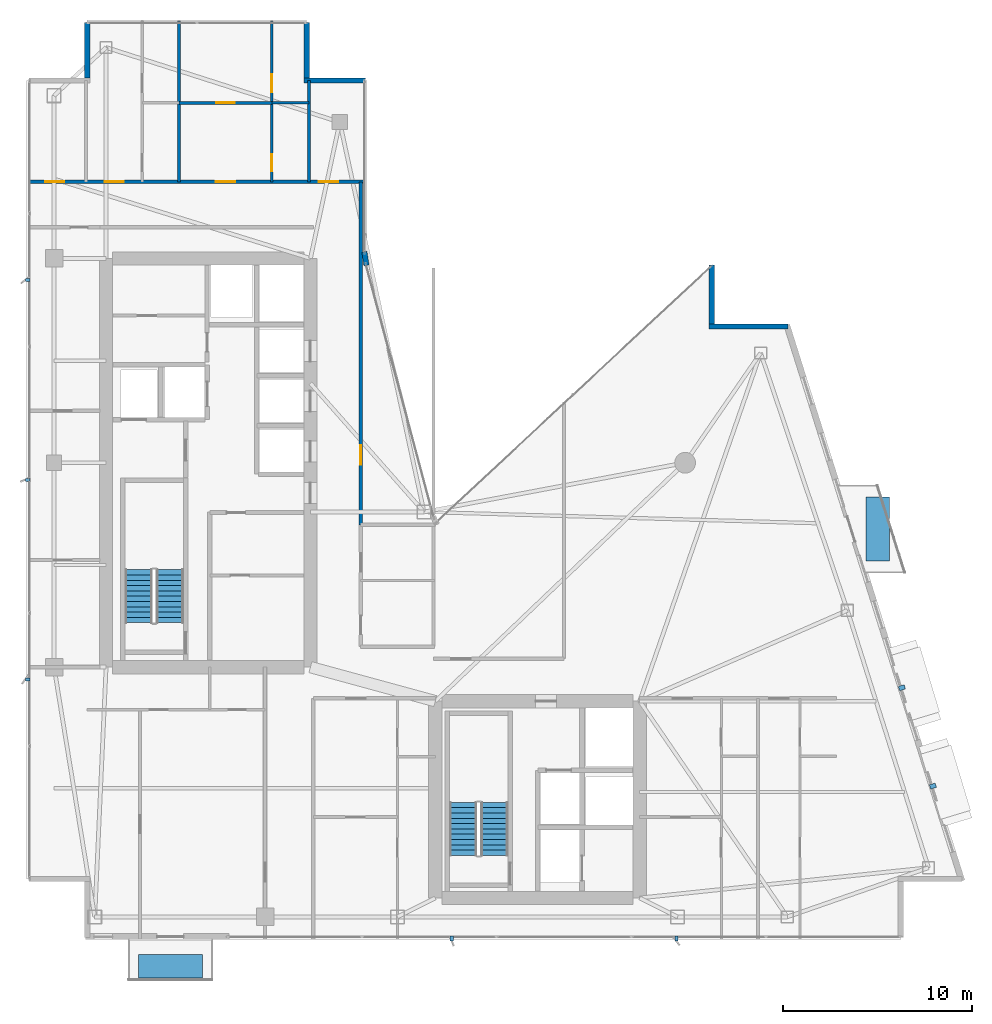
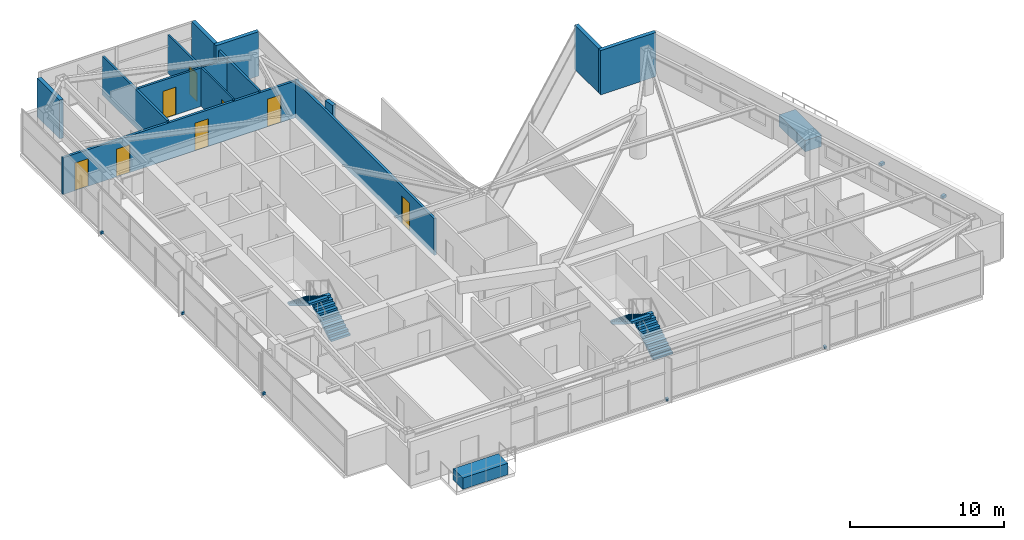
# One storey, part 25 of 27: 13 walls, 9 discrete accessories, 8 doors, 4 stair flights, 8 openings, 2 elements without a shape of their own.
"""IFC4 building model written with IfcOpenShell, lengths in metres."""

from ifc_helpers import new_model, si_unit, direction, frame, frame_2d, origin, origin_2d, place, context, subcontext, project, spatial, polyline, rectangle, outline, extrude, material, layer, layer_set, type_object, element, fill, aggregate, save


model = new_model("IFC4")

# Units and contexts
model_context = context("Model", 3, precision=1e-05, world=origin(), true_north=direction((0.0, 1.0)))
body_context = subcontext(model_context, "Body", "Model", "MODEL_VIEW")
ifc_project = project(units=[si_unit("LENGTHUNIT", "METRE"), si_unit("AREAUNIT", "SQUARE_METRE"), si_unit("VOLUMEUNIT", "CUBIC_METRE"), si_unit("PLANEANGLEUNIT", "RADIAN"), si_unit("MASSUNIT", "GRAM", prefix="KILO")], contexts=[model_context])

# Site, building, storey
site_placement = place(None, origin())
site = spatial("IfcSite", under=ifc_project, at=site_placement, CompositionType="ELEMENT")
building_placement = place(site_placement, origin())
building = spatial("IfcBuilding", under=site, at=building_placement, Name="Calvorn Quay Hotel", CompositionType="ELEMENT")
storey_placement = place(building_placement, frame((0.0, 0.0, 230.699951171875)))
storey = spatial("IfcBuildingStorey", under=building, at=storey_placement, Name="L57", CompositionType="ELEMENT", Elevation=230.699951171875)

# Wall, openings, doors
ifc_material_1 = material(Name="Acoustic Fireboard Steel-Stud Partition", Category="steel")
ifc_layer_1 = layer(ifc_material_1, 0.179931640625)
ifc_layer_set_1 = layer_set([ifc_layer_1], Name="WL-CORR-FIRE-180")
wall_type_1 = type_object("IfcWallType", Name="WL-CORR-FIRE-180", PredefinedType="PARTITIONING", material=ifc_layer_set_1)
wall_1_placement = place(storey_placement, frame((0.080078125, 42.449951171875, 0.0), z_axis=(0.0, 0.0, 1.0), x_axis=(1.0, 0.0, 0.0)))
wall_1 = element("IfcWall", 1, at=wall_1_placement, inside=storey, type_object=wall_type_1, Name="Partition Wall L57-WL-CORR-NW-N", PredefinedType="PARTITIONING", context=body_context, shape_type="SweptSolid", body=[
    extrude(rectangle(XDim=17.77001953125, YDim=0.179931640625, at=frame_2d((8.885009765625, 0.0))), origin(), (0.0, 0.0, 1.0), 2.920166015625),
])
opening_1_placement = place(wall_1_placement, frame((0.89990234375, 0.0, 0.0)))
opening_1 = element("IfcOpeningElement", 2, at=opening_1_placement, cuts=wall_1, Name="Opening D-L57-NWW", PredefinedType="OPENING", context=body_context, shape_type="SweptSolid", body=[
    extrude(rectangle(XDim=1.02001953125, YDim=2.199951171875, at=frame_2d((0.510009765625, 1.10009765625))), frame((0.0, 0.099853515625, 0.0), z_axis=(0.0, -1.0, 0.0), x_axis=(1.0, 0.0, 0.0)), (0.0, 0.0, 1.0), 0.199951171875),
])
opening_2_placement = place(wall_1_placement, frame((4.0400390625, 0.0, 0.0)))
opening_2 = element("IfcOpeningElement", 3, at=opening_2_placement, cuts=wall_1, Name="Opening D-L57-U03", PredefinedType="OPENING", context=body_context, shape_type="SweptSolid", body=[
    extrude(rectangle(XDim=1.02001953125, YDim=2.199951171875, at=frame_2d((0.510009765625, 1.10009765625))), frame((0.0, 0.099853515625, 0.0), z_axis=(0.0, -1.0, 0.0), x_axis=(1.0, 0.0, 0.0)), (0.0, 0.0, 1.0), 0.199951171875),
])
opening_3_placement = place(wall_1_placement, frame((9.919921875, 0.0, 0.0)))
opening_3 = element("IfcOpeningElement", 4, at=opening_3_placement, cuts=wall_1, Name="Opening D-L57-U04", PredefinedType="OPENING", context=body_context, shape_type="SweptSolid", body=[
    extrude(rectangle(XDim=1.02001953125, YDim=2.199951171875, at=frame_2d((0.510009765625, 1.10009765625))), frame((0.0, 0.099853515625, 0.0), z_axis=(0.0, -1.0, 0.0), x_axis=(1.0, 0.0, 0.0)), (0.0, 0.0, 1.0), 0.199951171875),
])
opening_4_placement = place(wall_1_placement, frame((15.3701171875, 0.0, 0.0)))
opening_4 = element("IfcOpeningElement", 5, at=opening_4_placement, cuts=wall_1, Name="Opening D-L57-NWE", PredefinedType="OPENING", context=body_context, shape_type="SweptSolid", body=[
    extrude(rectangle(XDim=1.02001953125, YDim=2.199951171875, at=frame_2d((0.510009765625, 1.10009765625))), frame((0.0, 0.099853515625, 0.0), z_axis=(0.0, -1.0, 0.0), x_axis=(1.0, 0.0, 0.0)), (0.0, 0.0, 1.0), 0.199951171875),
])
ifc_material_2 = material(Name="Solid-Core Walnut Veneer Hotel Fire Door")
door_type_1 = type_object("IfcDoorType", Name="DR-GUEST-ENTRY-1020", OperationType="NOTDEFINED", PredefinedType="DOOR", material=ifc_material_2)
door_1_placement = place(opening_1_placement, origin())
door_1 = element("IfcDoor", 6, at=door_1_placement, inside=storey, type_object=door_type_1, Name="West Corner Study Door (L57)", OperationType="SINGLE_SWING_LEFT", OverallHeight=2.199951171875, OverallWidth=1.02001953125, PredefinedType="DOOR", context=body_context, shape_type="SweptSolid", body=[
    extrude(rectangle(XDim=1.02001953125, YDim=2.199951171875, at=frame_2d((0.510009765625, 1.10009765625))), frame((0.0, 0.02490234375, 0.0), z_axis=(0.0, -1.0, 0.0), x_axis=(1.0, 0.0, 0.0)), (0.0, 0.0, 1.0), 0.050048828125),
])
fill(opening_1, door_1)
door_2_placement = place(opening_2_placement, origin())
door_2 = element("IfcDoor", 7, at=door_2_placement, inside=storey, type_object=door_type_1, Name="North-West Unit Door U03 (L57)", OperationType="SINGLE_SWING_RIGHT", OverallHeight=2.199951171875, OverallWidth=1.02001953125, PredefinedType="DOOR", context=body_context, shape_type="SweptSolid", body=[
    extrude(rectangle(XDim=1.02001953125, YDim=2.199951171875, at=frame_2d((0.510009765625, 1.10009765625))), frame((0.0, 0.02490234375, 0.0), z_axis=(0.0, -1.0, 0.0), x_axis=(1.0, 0.0, 0.0)), (0.0, 0.0, 1.0), 0.050048828125),
])
fill(opening_2, door_2)
door_3_placement = place(opening_3_placement, origin())
door_3 = element("IfcDoor", 8, at=door_3_placement, inside=storey, type_object=door_type_1, Name="North-West Unit Door U04 (L57)", OperationType="SINGLE_SWING_LEFT", OverallHeight=2.199951171875, OverallWidth=1.02001953125, PredefinedType="DOOR", context=body_context, shape_type="SweptSolid", body=[
    extrude(rectangle(XDim=1.02001953125, YDim=2.199951171875, at=frame_2d((0.510009765625, 1.10009765625))), frame((0.0, 0.02490234375, 0.0), z_axis=(0.0, -1.0, 0.0), x_axis=(1.0, 0.0, 0.0)), (0.0, 0.0, 1.0), 0.050048828125),
])
fill(opening_3, door_3)
door_4_placement = place(opening_4_placement, origin())
door_4 = element("IfcDoor", 9, at=door_4_placement, inside=storey, type_object=door_type_1, Name="Inner Court Study Door (L57)", OperationType="SINGLE_SWING_RIGHT", OverallHeight=2.199951171875, OverallWidth=1.02001953125, PredefinedType="DOOR", context=body_context, shape_type="SweptSolid", body=[
    extrude(rectangle(XDim=1.02001953125, YDim=2.199951171875, at=frame_2d((0.510009765625, 1.10009765625))), frame((0.0, 0.02490234375, 0.0), z_axis=(0.0, -1.0, 0.0), x_axis=(1.0, 0.0, 0.0)), (0.0, 0.0, 1.0), 0.050048828125),
])
fill(opening_4, door_4)

# Wall, opening, door
wall_2_placement = place(storey_placement, frame((17.64990234375, 24.300048828125, 0.0), z_axis=(0.0, 0.0, 1.0), x_axis=(0.0, 1.0, 0.0)))
wall_2 = element("IfcWall", 10, at=wall_2_placement, inside=storey, type_object=wall_type_1, Name="Partition Wall L57-WL-NW-CLOSURE-E", PredefinedType="PARTITIONING", context=body_context, shape_type="SweptSolid", body=[
    extrude(rectangle(XDim=18.14990234375, YDim=0.179931640625, at=frame_2d((9.074951171875, 0.0))), origin(), (0.0, 0.0, 1.0), 2.920166015625),
])
opening_5_placement = place(wall_2_placement, frame((3.199951171875, 0.0, 0.0)))
opening_5 = element("IfcOpeningElement", 11, at=opening_5_placement, cuts=wall_2, Name="Opening D-L57-NCU", PredefinedType="OPENING", context=body_context, shape_type="SweptSolid", body=[
    extrude(rectangle(XDim=1.02001953125, YDim=2.199951171875, at=frame_2d((0.510009765625, 1.10009765625))), frame((0.0, 0.099853515625, 0.0), z_axis=(0.0, -1.0, 0.0), x_axis=(1.0, 0.0, 0.0)), (0.0, 0.0, 1.0), 0.199951171875),
])
door_5_placement = place(opening_5_placement, origin())
door_5 = element("IfcDoor", 12, at=door_5_placement, inside=storey, type_object=door_type_1, Name="Inner Court Horizon Study Door (L57)", OperationType="SINGLE_SWING_RIGHT", OverallHeight=2.199951171875, OverallWidth=1.02001953125, PredefinedType="DOOR", context=body_context, shape_type="SweptSolid", body=[
    extrude(rectangle(XDim=1.02001953125, YDim=2.199951171875, at=frame_2d((0.510009765625, 1.10009765625))), frame((0.0, 0.02490234375, 0.0), z_axis=(0.0, -1.0, 0.0), x_axis=(1.0, 0.0, 0.0)), (0.0, 0.0, 1.0), 0.050048828125),
])
fill(opening_5, door_5)

# Wall
ifc_material_3 = material(Name="Moisture-Resistant Tile-Backed Partition")
ifc_layer_2 = layer(ifc_material_3, 0.125)
ifc_layer_set_2 = layer_set([ifc_layer_2], Name="WL-ENSUITE-125")
wall_type_2 = type_object("IfcWallType", Name="WL-ENSUITE-125", PredefinedType="PARTITIONING", material=ifc_layer_set_2)
wall_3_placement = place(storey_placement, frame((12.9599609375, 46.6201171875, 0.0), z_axis=(0.0, 0.0, 1.0), x_axis=(1.0, 0.0, 0.0)))
element("IfcWall", 13, at=wall_3_placement, inside=storey, type_object=wall_type_2, Name="Partition Wall L57-WL-U04-BDV", PredefinedType="PARTITIONING", context=body_context, shape_type="SweptSolid", body=[
    extrude(rectangle(XDim=1.9599609375, YDim=0.125, at=frame_2d((0.97998046875, 0.0))), origin(), (0.0, 0.0, 1.0), 3.070068359375),
])

# Wall, openings, doors
wall_4_placement = place(storey_placement, frame((12.9599609375, 42.449951171875, 0.0), z_axis=(0.0, 0.0, 1.0), x_axis=(0.0, 1.0, 0.0)))
wall_4 = element("IfcWall", 14, at=wall_4_placement, inside=storey, type_object=wall_type_2, Name="Partition Wall L57-WL-U04-BV", PredefinedType="PARTITIONING", context=body_context, shape_type="SweptSolid", body=[
    extrude(rectangle(XDim=8.489990234375, YDim=0.125, at=frame_2d((4.2451171875, 0.0))), origin(), (0.0, 0.0, 1.0), 3.070068359375),
])
opening_6_placement = place(wall_4_placement, frame((0.550048828125, 0.0, 0.0)))
opening_6 = element("IfcOpeningElement", 15, at=opening_6_placement, cuts=wall_4, Name="Opening D-L57-E04", PredefinedType="OPENING", context=body_context, shape_type="SweptSolid", body=[
    extrude(rectangle(XDim=0.89990234375, YDim=2.14990234375, at=frame_2d((0.449951171875, 1.074951171875))), frame((0.0, 0.072509765625, 0.0), z_axis=(0.0, -1.0, 0.0), x_axis=(1.0, 0.0, 0.0)), (0.0, 0.0, 1.0), 0.14501953125),
])
opening_7_placement = place(wall_4_placement, frame((4.719970703125, 0.0, 0.0)))
opening_7 = element("IfcOpeningElement", 16, at=opening_7_placement, cuts=wall_4, Name="Opening D-L57-S04", PredefinedType="OPENING", context=body_context, shape_type="SweptSolid", body=[
    extrude(rectangle(XDim=0.9599609375, YDim=2.199951171875, at=frame_2d((0.47998046875, 1.10009765625))), frame((0.0, 0.072509765625, 0.0), z_axis=(0.0, -1.0, 0.0), x_axis=(1.0, 0.0, 0.0)), (0.0, 0.0, 1.0), 0.14501953125),
])
ifc_material_4 = material(Name="Moisture-Sealed Timber En-Suite Door", Category="wood")
door_type_2 = type_object("IfcDoorType", Name="DR-ENSUITE-900", OperationType="NOTDEFINED", PredefinedType="DOOR", material=ifc_material_4)
door_6_placement = place(opening_6_placement, origin())
door_6 = element("IfcDoor", 17, at=door_6_placement, inside=storey, type_object=door_type_2, Name="En-Suite Door 04", OperationType="SINGLE_SWING_LEFT", OverallHeight=2.14990234375, OverallWidth=0.89990234375, PredefinedType="DOOR", context=body_context, shape_type="SweptSolid", body=[
    extrude(rectangle(XDim=0.89990234375, YDim=2.14990234375, at=frame_2d((0.449951171875, 1.074951171875))), frame((0.0, 0.02490234375, 0.0), z_axis=(0.0, -1.0, 0.0), x_axis=(1.0, 0.0, 0.0)), (0.0, 0.0, 1.0), 0.050048828125),
])
fill(opening_6, door_6)
ifc_material_5 = material(Name="Solid Timber Internal Suite Door", Category="wood")
door_type_3 = type_object("IfcDoorType", Name="DR-SUITE-INT-960", OperationType="NOTDEFINED", PredefinedType="DOOR", material=ifc_material_5)
door_7_placement = place(opening_7_placement, origin())
door_7 = element("IfcDoor", 18, at=door_7_placement, inside=storey, type_object=door_type_3, Name="Spa Therapy Room Door 04", OperationType="SINGLE_SWING_RIGHT", OverallHeight=2.199951171875, OverallWidth=0.9599609375, PredefinedType="DOOR", context=body_context, shape_type="SweptSolid", body=[
    extrude(rectangle(XDim=0.9599609375, YDim=2.199951171875, at=frame_2d((0.47998046875, 1.10009765625))), frame((0.0, 0.02490234375, 0.0), z_axis=(0.0, -1.0, 0.0), x_axis=(1.0, 0.0, 0.0)), (0.0, 0.0, 1.0), 0.050048828125),
])
fill(opening_7, door_7)

# Walls
ifc_material_6 = material(Name="Concrete C40", Category="concrete")
ifc_layer_3 = layer(ifc_material_6, 0.320068359375)
ifc_layer_set_3 = layer_set([ifc_layer_3], Name="WL-EXT-SPANDREL-320")
wall_type_3 = type_object("IfcWallType", Name="WL-EXT-SPANDREL-320", PredefinedType="SOLIDWALL", material=ifc_layer_set_3)
wall_5_placement = place(storey_placement, frame((17.9619140625, 38.030029296875, 0.0), z_axis=(0.0, 0.0, 1.0), x_axis=(-0.15141125477, 0.988470855377, 0.0)))
element("IfcWall", 19, at=wall_5_placement, inside=storey, type_object=wall_type_3, Name="Inner Court Corner Pier L57-ICJ2", PredefinedType="SOLIDWALL", context=body_context, shape_type="SweptSolid", body=[
    extrude(rectangle(XDim=0.738525390625, YDim=0.280029296875, at=frame_2d((0.369140625, 0.0))), origin(), (0.0, 0.0, 1.0), 3.52001953125),
])
wall_6_placement = place(storey_placement, frame((40.239990234375, 34.800048828125, 0.0), z_axis=(0.0, 0.0, 1.0), x_axis=(-1.0, 0.0, 0.0)))
element("IfcWall", 20, at=wall_6_placement, inside=storey, type_object=wall_type_3, Name="Notched Corner Spandrel L57-NE1", PredefinedType="SOLIDWALL", context=body_context, shape_type="SweptSolid", body=[
    extrude(rectangle(XDim=4.179931640625, YDim=0.280029296875, at=frame_2d((2.08984375, 0.0))), origin(), (0.0, 0.0, 1.0), 3.52001953125),
])
wall_7_placement = place(storey_placement, frame((36.199951171875, 34.93994140625, 0.0), z_axis=(0.0, 0.0, 1.0), x_axis=(0.0, 1.0, 0.0)))
element("IfcWall", 21, at=wall_7_placement, inside=storey, type_object=wall_type_3, Name="Notched Corner Spandrel L57-NE2", PredefinedType="SOLIDWALL", context=body_context, shape_type="SweptSolid", body=[
    extrude(rectangle(XDim=3.10009765625, YDim=0.280029296875, at=frame_2d((1.550048828125, 0.0))), origin(), (0.0, 0.0, 1.0), 3.52001953125),
])
wall_8_placement = place(storey_placement, frame((17.89990234375, 47.800048828125, 0.0), z_axis=(0.0, 0.0, 1.0), x_axis=(-1.0, 0.0, 0.0)))
element("IfcWall", 22, at=wall_8_placement, inside=storey, type_object=wall_type_3, Name="Notched Corner Spandrel L57-NWE1", PredefinedType="SOLIDWALL", context=body_context, shape_type="SweptSolid", body=[
    extrude(rectangle(XDim=3.239990234375, YDim=0.280029296875, at=frame_2d((1.6201171875, 0.0))), origin(), (0.0, 0.0, 1.0), 3.52001953125),
])
wall_9_placement = place(storey_placement, frame((14.800048828125, 47.93994140625, 0.0), z_axis=(0.0, 0.0, 1.0), x_axis=(0.0, 1.0, 0.0)))
element("IfcWall", 23, at=wall_9_placement, inside=storey, type_object=wall_type_3, Name="Notched Corner Spandrel L57-NWE2", PredefinedType="SOLIDWALL", context=body_context, shape_type="SweptSolid", body=[
    extrude(rectangle(XDim=2.93994140625, YDim=0.280029296875, at=frame_2d((1.469970703125, 0.0))), origin(), (0.0, 0.0, 1.0), 3.52001953125),
])
wall_10_placement = place(storey_placement, frame((3.199951171875, 50.8798828125, 0.0), z_axis=(0.0, 0.0, 1.0), x_axis=(0.0, -1.0, 0.0)))
element("IfcWall", 24, at=wall_10_placement, inside=storey, type_object=wall_type_3, Name="Notched Corner Spandrel L57-NW1", PredefinedType="SOLIDWALL", context=body_context, shape_type="SweptSolid", body=[
    extrude(rectangle(XDim=2.93994140625, YDim=0.280029296875, at=frame_2d((1.469970703125, 0.0))), origin(), (0.0, 0.0, 1.0), 3.070068359375),
])
ifc_material_7 = material(Name="Double-Stud Acoustic Gypsum Partition")
ifc_layer_4 = layer(ifc_material_7, 0.159912109375)
ifc_layer_set_4 = layer_set([ifc_layer_4], Name="WL-INTERSUITE-160")
wall_type_4 = type_object("IfcWallType", Name="WL-INTERSUITE-160", PredefinedType="PARTITIONING", material=ifc_layer_set_4)
wall_11_placement = place(storey_placement, frame((14.919921875, 42.449951171875, 0.0), z_axis=(0.0, 0.0, 1.0), x_axis=(0.0, 1.0, 0.0)))
element("IfcWall", 25, at=wall_11_placement, inside=storey, type_object=wall_type_4, Name="Partition Wall L57-WL-NW-DIV-E0", PredefinedType="PARTITIONING", context=body_context, shape_type="SweptSolid", body=[
    extrude(rectangle(XDim=5.35009765625, YDim=0.159912109375, at=frame_2d((2.675048828125, 0.0))), origin(), (0.0, 0.0, 1.0), 3.070068359375),
])

# Wall, opening, door
wall_12_placement = place(storey_placement, frame((8.050048828125, 46.6201171875, 0.0), z_axis=(0.0, 0.0, 1.0), x_axis=(1.0, 0.0, 0.0)))
wall_12 = element("IfcWall", 26, at=wall_12_placement, inside=storey, type_object=wall_type_4, Name="Partition Wall L57-WL-U04-MSP", PredefinedType="PARTITIONING", context=body_context, shape_type="SweptSolid", body=[
    extrude(rectangle(XDim=4.909912109375, YDim=0.159912109375, at=frame_2d((2.455078125, 0.0))), origin(), (0.0, 0.0, 1.0), 3.070068359375),
])
opening_8_placement = place(wall_12_placement, frame((1.97998046875, 0.0, 0.0)))
opening_8 = element("IfcOpeningElement", 27, at=opening_8_placement, cuts=wall_12, Name="Opening D-L57-M04", PredefinedType="OPENING", context=body_context, shape_type="SweptSolid", body=[
    extrude(rectangle(XDim=0.9599609375, YDim=2.199951171875, at=frame_2d((0.47998046875, 1.10009765625))), frame((0.0, 0.08984375, 0.0), z_axis=(0.0, -1.0, 0.0), x_axis=(1.0, 0.0, 0.0)), (0.0, 0.0, 1.0), 0.179931640625),
])
door_8_placement = place(opening_8_placement, origin())
door_8 = element("IfcDoor", 28, at=door_8_placement, inside=storey, type_object=door_type_3, Name="Suite Bedroom Door 04", OperationType="SINGLE_SWING_LEFT", OverallHeight=2.199951171875, OverallWidth=0.9599609375, PredefinedType="DOOR", context=body_context, shape_type="SweptSolid", body=[
    extrude(rectangle(XDim=0.9599609375, YDim=2.199951171875, at=frame_2d((0.47998046875, 1.10009765625))), frame((0.0, 0.02490234375, 0.0), z_axis=(0.0, -1.0, 0.0), x_axis=(1.0, 0.0, 0.0)), (0.0, 0.0, 1.0), 0.050048828125),
])
fill(opening_8, door_8)

# Wall
wall_13_placement = place(storey_placement, frame((8.050048828125, 42.449951171875, 0.0), z_axis=(0.0, 0.0, 1.0), x_axis=(0.0, 1.0, 0.0)))
element("IfcWall", 29, at=wall_13_placement, inside=storey, type_object=wall_type_4, Name="Partition Wall L57-WL-NW-DIV-1", PredefinedType="PARTITIONING", context=body_context, shape_type="SweptSolid", body=[
    extrude(rectangle(XDim=8.489990234375, YDim=0.159912109375, at=frame_2d((4.2451171875, 0.0))), origin(), (0.0, 0.0, 1.0), 3.070068359375),
])

# Stair, stair flights
ifc_material_8 = material(Name="Concrete C40", Category="concrete")
stair_type = type_object("IfcStairType", Name="STR-CORE-DOGLEG", PredefinedType="HALF_TURN_STAIR", material=ifc_material_8)
stair_1_placement = place(storey_placement, origin())
stair_1 = element("IfcStair", 30, at=stair_1_placement, inside=storey, type_object=stair_type, Name="L57 ST-W", PredefinedType="HALF_TURN_STAIR")
ifc_material_9 = material(Name="Concrete C40", Category="concrete")
stair_flight_type = type_object("IfcStairFlightType", Name="FLT-CORE-1550", PredefinedType="STRAIGHT", material=ifc_material_9)
stair_flight_1_placement = place(storey_placement, frame((7.574951171875, 19.14990234375, 0.0), z_axis=(0.0, 0.0, 1.0), x_axis=(0.0, 1.0, 0.0)))
stair_flight_1 = element("IfcStairFlight", 31, at=stair_flight_1_placement, type_object=stair_flight_type, Name="ST-W flight 1", NumberOfRisers=11, NumberOfTreads=10, PredefinedType="STRAIGHT", RiserHeight=0.172727273, TreadLength=0.28, context=body_context, shape_type="SweptSolid", body=[
    extrude(outline(polyline([(0.0, 0.0), (0.0, 0.172607421875), (0.280029296875, 0.172607421875), (0.280029296875, 0.345458984375), (0.56005859375, 0.345458984375), (0.56005859375, 0.51806640625), (0.840087890625, 0.51806640625), (0.840087890625, 0.69091796875), (1.1201171875, 0.69091796875), (1.1201171875, 0.863525390625), (1.39990234375, 0.863525390625), (1.39990234375, 1.036376953125), (1.679931640625, 1.036376953125), (1.679931640625, 1.208984375), (1.9599609375, 1.208984375), (1.9599609375, 1.3818359375), (2.239990234375, 1.3818359375), (2.239990234375, 1.554443359375), (2.52001953125, 1.554443359375), (2.52001953125, 1.727294921875), (2.800048828125, 1.727294921875), (2.800048828125, 1.89990234375), (2.800048828125, 1.551025390625), (0.285400390625, 0.0), (0.0, 0.0)])), frame((0.0, 0.72509765625, 0.0), z_axis=(0.0, -1.0, 0.0), x_axis=(1.0, 0.0, 0.0)), (0.0, 0.0, 1.0), 1.449951171875),
])
stair_flight_2_placement = place(storey_placement, frame((5.925048828125, 21.949951171875, 1.900146484375), z_axis=(0.0, 0.0, 1.0), x_axis=(0.0, -1.0, 0.0)))
stair_flight_2 = element("IfcStairFlight", 32, at=stair_flight_2_placement, type_object=stair_flight_type, Name="ST-W flight 2", NumberOfRisers=11, NumberOfTreads=10, PredefinedType="STRAIGHT", RiserHeight=0.172727273, TreadLength=0.28, context=body_context, shape_type="SweptSolid", body=[
    extrude(outline(polyline([(0.0, 0.0), (0.0, 0.172607421875), (0.280029296875, 0.172607421875), (0.280029296875, 0.345458984375), (0.56005859375, 0.345458984375), (0.56005859375, 0.51806640625), (0.840087890625, 0.51806640625), (0.840087890625, 0.69091796875), (1.1201171875, 0.69091796875), (1.1201171875, 0.863525390625), (1.39990234375, 0.863525390625), (1.39990234375, 1.036376953125), (1.679931640625, 1.036376953125), (1.679931640625, 1.208984375), (1.9599609375, 1.208984375), (1.9599609375, 1.3818359375), (2.239990234375, 1.3818359375), (2.239990234375, 1.554443359375), (2.52001953125, 1.554443359375), (2.52001953125, 1.727294921875), (2.800048828125, 1.727294921875), (2.800048828125, 1.89990234375), (2.800048828125, 1.551025390625), (0.285400390625, 0.0), (0.0, 0.0)])), frame((0.0, 0.72509765625, 0.0), z_axis=(0.0, -1.0, 0.0), x_axis=(1.0, 0.0, 0.0)), (0.0, 0.0, 1.0), 1.449951171875),
])
aggregate(stair_1, [stair_flight_1, stair_flight_2])

stair_2_placement = place(storey_placement, origin())
stair_2 = element("IfcStair", 33, at=stair_2_placement, inside=storey, type_object=stair_type, Name="L57 ST-E", PredefinedType="HALF_TURN_STAIR")
stair_flight_3_placement = place(storey_placement, frame((24.72509765625, 6.85009765625, 0.0), z_axis=(0.0, 0.0, 1.0), x_axis=(0.0, 1.0, 0.0)))
stair_flight_3 = element("IfcStairFlight", 34, at=stair_flight_3_placement, type_object=stair_flight_type, Name="ST-E flight 1", NumberOfRisers=11, NumberOfTreads=10, PredefinedType="STRAIGHT", RiserHeight=0.172727273, TreadLength=0.28, context=body_context, shape_type="SweptSolid", body=[
    extrude(outline(polyline([(0.0, 0.0), (0.0, 0.172607421875), (0.280029296875, 0.172607421875), (0.280029296875, 0.345458984375), (0.56005859375, 0.345458984375), (0.56005859375, 0.51806640625), (0.840087890625, 0.51806640625), (0.840087890625, 0.69091796875), (1.1201171875, 0.69091796875), (1.1201171875, 0.863525390625), (1.39990234375, 0.863525390625), (1.39990234375, 1.036376953125), (1.679931640625, 1.036376953125), (1.679931640625, 1.208984375), (1.9599609375, 1.208984375), (1.9599609375, 1.3818359375), (2.239990234375, 1.3818359375), (2.239990234375, 1.554443359375), (2.52001953125, 1.554443359375), (2.52001953125, 1.727294921875), (2.800048828125, 1.727294921875), (2.800048828125, 1.89990234375), (2.800048828125, 1.551025390625), (0.285400390625, 0.0), (0.0, 0.0)])), frame((0.0, 0.72509765625, 0.0), z_axis=(0.0, -1.0, 0.0), x_axis=(1.0, 0.0, 0.0)), (0.0, 0.0, 1.0), 1.449951171875),
])
stair_flight_4_placement = place(storey_placement, frame((23.074951171875, 9.64990234375, 1.900146484375), z_axis=(0.0, 0.0, 1.0), x_axis=(0.0, -1.0, 0.0)))
stair_flight_4 = element("IfcStairFlight", 35, at=stair_flight_4_placement, type_object=stair_flight_type, Name="ST-E flight 2", NumberOfRisers=11, NumberOfTreads=10, PredefinedType="STRAIGHT", RiserHeight=0.172727273, TreadLength=0.28, context=body_context, shape_type="SweptSolid", body=[
    extrude(outline(polyline([(0.0, 0.0), (0.0, 0.172607421875), (0.280029296875, 0.172607421875), (0.280029296875, 0.345458984375), (0.56005859375, 0.345458984375), (0.56005859375, 0.51806640625), (0.840087890625, 0.51806640625), (0.840087890625, 0.69091796875), (1.1201171875, 0.69091796875), (1.1201171875, 0.863525390625), (1.39990234375, 0.863525390625), (1.39990234375, 1.036376953125), (1.679931640625, 1.036376953125), (1.679931640625, 1.208984375), (1.9599609375, 1.208984375), (1.9599609375, 1.3818359375), (2.239990234375, 1.3818359375), (2.239990234375, 1.554443359375), (2.52001953125, 1.554443359375), (2.52001953125, 1.727294921875), (2.800048828125, 1.727294921875), (2.800048828125, 1.89990234375), (2.800048828125, 1.551025390625), (0.285400390625, 0.0), (0.0, 0.0)])), frame((0.0, 0.72509765625, 0.0), z_axis=(0.0, -1.0, 0.0), x_axis=(1.0, 0.0, 0.0)), (0.0, 0.0, 1.0), 1.449951171875),
])
aggregate(stair_2, [stair_flight_3, stair_flight_4])

# Discrete accessories
ifc_material_10 = material(Name="Steel Q355B", Category="steel")
discrete_accessory_type_1 = type_object("IfcDiscreteAccessoryType", Name="ACC-FIN-BRACKET", PredefinedType="BRACKET", material=ifc_material_10)
for number, where, z_axis, x_axis, name in (
    (36, (0.06005859375, 16.14990234375, 0.0302734375), (0.0, 0.0, 1.0), (1.0, 0.0, 0.0), "Fin Anchor Bracket L57-W01"),
    (37, (0.06005859375, 26.699951171875, 0.0302734375), (0.0, 0.0, 1.0), (1.0, 0.0, 0.0), "Fin Anchor Bracket L57-W02"),
    (38, (0.06005859375, 37.25, 0.0302734375), (0.0, 0.0, 1.0), (1.0, 0.0, 0.0), "Fin Anchor Bracket L57-W03"),
    (39, (22.467041015625, 2.4599609375, 0.0302734375), (0.0, 0.0, 1.0), (0.0, 1.0, 0.0), "Fin Anchor Bracket L57-S01"),
    (40, (34.3330078125, 2.4599609375, 0.0302734375), (0.0, 0.0, 1.0), (0.0, 1.0, 0.0), "Fin Anchor Bracket L57-S02"),
):
    element("IfcDiscreteAccessory", number, at=place(storey_placement, frame(where, z_axis=z_axis, x_axis=x_axis)), inside=storey, type_object=discrete_accessory_type_1, Name=name, PredefinedType="BRACKET", context=body_context, shape_type="SweptSolid", body=[
        extrude(rectangle(XDim=0.239990234375, YDim=0.159912109375, at=origin_2d()), origin(), (0.0, 0.0, 1.0), 0.179931640625),
    ])
for number, where, z_axis, x_axis, name in (
    (41, (47.89501953125, 10.511962890625, 2.3701171875), (0.0, 0.0, 1.0), (0.957319497532, 0.289031796944, 0.0), "Bay Hood Support Bracket L57-HOOD-1"),
    (42, (46.256103515625, 15.7119140625, 2.3701171875), (0.0, 0.0, 1.0), (0.957319497532, 0.289031796944, 0.0), "Bay Hood Support Bracket L57-HOOD-2"),
):
    element("IfcDiscreteAccessory", number, at=place(storey_placement, frame(where, z_axis=z_axis, x_axis=x_axis)), inside=storey, type_object=discrete_accessory_type_1, Name=name, PredefinedType="BRACKET", context=body_context, shape_type="SweptSolid", body=[
        extrude(rectangle(XDim=0.320068359375, YDim=0.239990234375, at=origin_2d()), origin(), (0.0, 0.0, 1.0), 0.199951171875),
    ])
ifc_material_11 = material(Name="Precast concrete C40", Category="concrete")
discrete_accessory_type_2 = type_object("IfcDiscreteAccessoryType", Name="ACC-TREE-PLANTER", PredefinedType="USERDEFINED", material=ifc_material_11)
discrete_accessory_1_placement = place(storey_placement, frame((44.98095703125, 24.10009765625, 0.0), z_axis=(0.0, 0.0, 1.0), x_axis=(1.0, 0.0, 0.0)))
element("IfcDiscreteAccessory", 43, at=discrete_accessory_1_placement, inside=storey, type_object=discrete_accessory_type_2, Name="Subtropical Tree Structural Planter L57-BALC-E", ObjectType="PLANTER", PredefinedType="USERDEFINED", context=body_context, shape_type="SweptSolid", body=[
    extrude(rectangle(XDim=1.25, YDim=3.39990234375, at=origin_2d()), origin(), (0.0, 0.0, 1.0), 0.89990234375),
])
discrete_accessory_2_placement = place(storey_placement, frame((7.60009765625, 0.989990234375, 0.0), z_axis=(0.0, 0.0, 1.0), x_axis=(1.0, 0.0, 0.0)))
element("IfcDiscreteAccessory", 44, at=discrete_accessory_2_placement, inside=storey, type_object=discrete_accessory_type_2, Name="Subtropical Tree Structural Planter L57-BALC-S", ObjectType="PLANTER", PredefinedType="USERDEFINED", context=body_context, shape_type="SweptSolid", body=[
    extrude(rectangle(XDim=3.39990234375, YDim=1.25, at=origin_2d()), origin(), (0.0, 0.0, 1.0), 0.89990234375),
])

save(model, "model.ifc")
